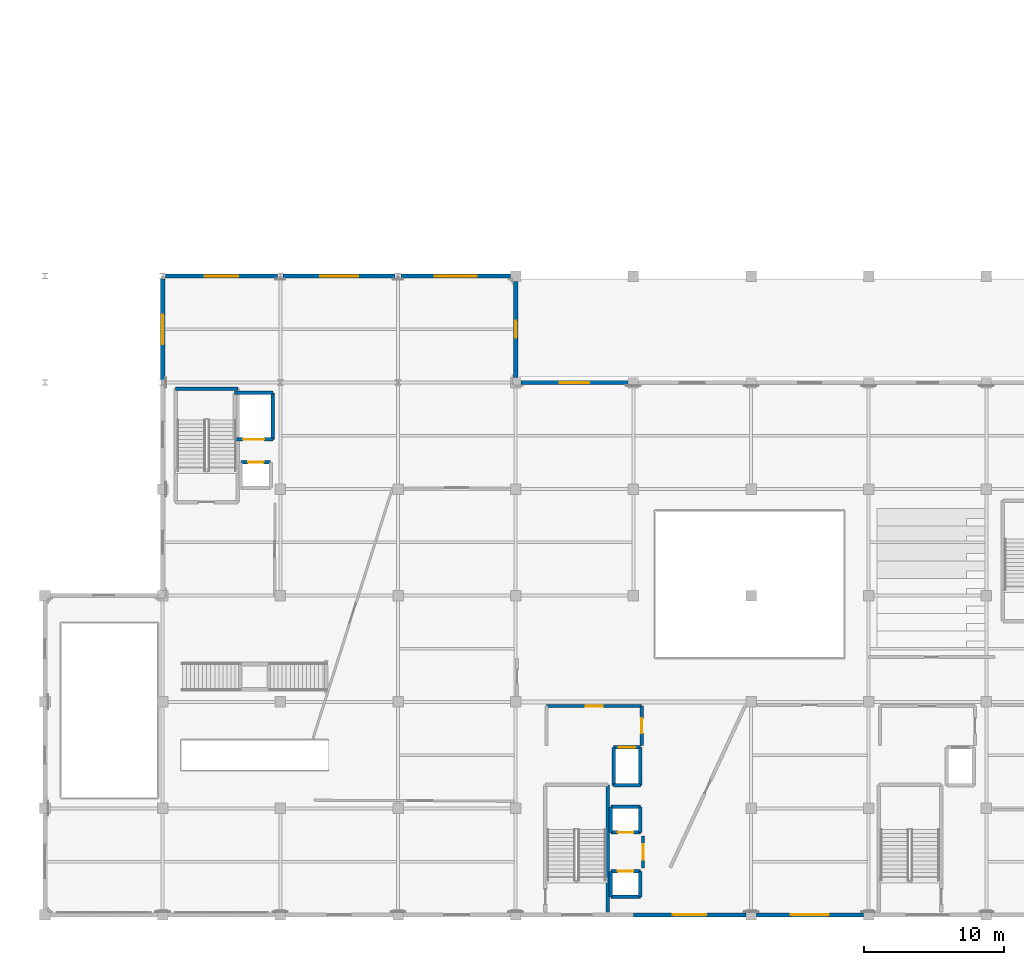
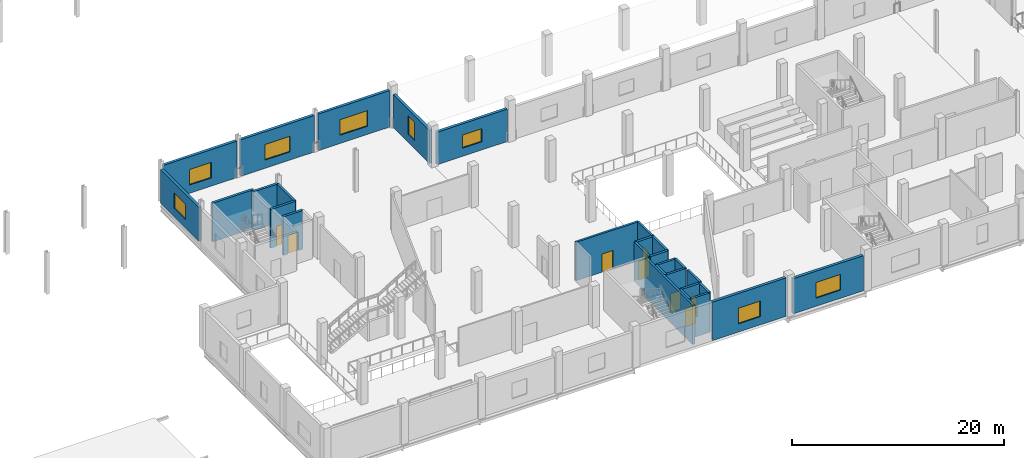
# One storey, part 25 of 51: 29 walls, 8 doors, 8 windows, 16 openings.
"""IFC4 building model written with IfcOpenShell, lengths in metres."""

from ifc_helpers import new_model, si_unit, direction, frame, frame_2d, origin, place, context, subcontext, project, spatial, rectangle, extrude, material, layer, layer_set, type_object, element, fill, save


model = new_model("IFC4")

# Units and contexts
model_context = context("Model", 3, precision=1e-05, world=origin(), true_north=direction((0.0, 1.0)))
body_context = subcontext(model_context, "Body", "Model", "MODEL_VIEW")
ifc_project = project(units=[si_unit("LENGTHUNIT", "METRE"), si_unit("AREAUNIT", "SQUARE_METRE"), si_unit("VOLUMEUNIT", "CUBIC_METRE"), si_unit("PLANEANGLEUNIT", "RADIAN"), si_unit("MASSUNIT", "GRAM", prefix="KILO")], contexts=[model_context])

# Site, building, storey
site_placement = place(None, origin())
site = spatial("IfcSite", under=ifc_project, at=site_placement, CompositionType="ELEMENT")
building_placement = place(site_placement, origin())
building = spatial("IfcBuilding", under=site, at=building_placement, Name="Zuvorla Pavilion Media Centre", CompositionType="ELEMENT")
storey_placement = place(building_placement, frame((0.0, 0.0, 4.800048828125)))
storey = spatial("IfcBuildingStorey", under=building, at=storey_placement, Name="L01", CompositionType="ELEMENT", Elevation=4.800048828125)

# Wall, opening, door
ifc_material_1 = material(Name="Acoustic masonry blockwork C32/40", Category="masonry")
ifc_layer_1 = layer(ifc_material_1, 0.219970703125)
ifc_layer_set_1 = layer_set([ifc_layer_1], Name="Acoustic masonry blockwork C32/40")
wall_type_1 = type_object("IfcWallType", Name="WL-CMP-220", PredefinedType="SOLIDWALL", material=ifc_layer_set_1)
wall_1_placement = place(storey_placement, frame((69.0, 20.89990234375, 0.0), z_axis=(0.0, 0.0, 1.0), x_axis=(1.0, 0.0, 0.0)))
wall_1 = element("IfcWall", 1, at=wall_1_placement, inside=storey, type_object=wall_type_1, Name="L01 solid wall IW22 22", PredefinedType="SOLIDWALL", context=body_context, shape_type="SweptSolid", body=[
    extrude(rectangle(XDim=6.800048828125, YDim=0.219970703125, at=frame_2d((3.39990234375, 0.0))), origin(), (0.0, 0.0, 1.0), 4.429931640625),
])
opening_1_placement = place(wall_1_placement, frame((2.800048828125, 0.0, 0.0)))
opening_1 = element("IfcOpeningElement", 2, at=opening_1_placement, cuts=wall_1, Name="Opening FD06", PredefinedType="OPENING", context=body_context, shape_type="SweptSolid", body=[
    extrude(rectangle(XDim=1.199951171875, YDim=2.10009765625, at=frame_2d((0.60009765625, 1.050048828125))), frame((0.0, 0.119873046875, 0.0), z_axis=(0.0, -1.0, 0.0), x_axis=(1.0, 0.0, 0.0)), (0.0, 0.0, 1.0), 0.239990234375),
])
ifc_material_2 = material(Name="Acoustic timber fire door leaf in steel frame", Category="steel")
door_type_1 = type_object("IfcDoorType", Name="DR-INT-FD06", OperationType="NOTDEFINED", PredefinedType="DOOR", material=ifc_material_2)
door_1_placement = place(opening_1_placement, origin())
door_1 = element("IfcDoor", 3, at=door_1_placement, inside=storey, type_object=door_type_1, Name="Firefighting lobby 1 door FD06 10", OperationType="SINGLE_SWING_LEFT", OverallHeight=2.10009765625, OverallWidth=1.199951171875, PredefinedType="DOOR", context=body_context, shape_type="SweptSolid", body=[
    extrude(rectangle(XDim=1.199951171875, YDim=2.10009765625, at=frame_2d((0.60009765625, 1.050048828125))), frame((0.0, 0.02490234375, 0.0), z_axis=(0.0, -1.0, 0.0), x_axis=(1.0, 0.0, 0.0)), (0.0, 0.0, 1.0), 0.050048828125),
])
fill(opening_1, door_1)

wall_2_placement = place(storey_placement, frame((75.800048828125, 18.10009765625, 0.0), z_axis=(0.0, 0.0, 1.0), x_axis=(0.0, 1.0, 0.0)))
wall_2 = element("IfcWall", 4, at=wall_2_placement, inside=storey, type_object=wall_type_1, Name="L01 solid wall IW22 24", PredefinedType="SOLIDWALL", context=body_context, shape_type="SweptSolid", body=[
    extrude(rectangle(XDim=2.7998046875, YDim=0.219970703125, at=frame_2d((1.39990234375, 0.0))), origin(), (0.0, 0.0, 1.0), 4.429931640625),
])
opening_2_placement = place(wall_2_placement, frame((0.875, 0.0, 0.0)))
opening_2 = element("IfcOpeningElement", 5, at=opening_2_placement, cuts=wall_2, Name="Opening FD04", PredefinedType="OPENING", context=body_context, shape_type="SweptSolid", body=[
    extrude(rectangle(XDim=1.050048828125, YDim=2.10009765625, at=frame_2d((0.52490234375, 1.050048828125))), frame((0.0, 0.119873046875, 0.0), z_axis=(0.0, -1.0, 0.0), x_axis=(1.0, 0.0, 0.0)), (0.0, 0.0, 1.0), 0.239990234375),
])
door_type_2 = type_object("IfcDoorType", Name="DR-INT-FD04", OperationType="NOTDEFINED", PredefinedType="DOOR", material=ifc_material_2)
door_2_placement = place(opening_2_placement, origin())
door_2 = element("IfcDoor", 6, at=door_2_placement, inside=storey, type_object=door_type_2, Name="Firefighting lobby 1 access door FD04 11", OperationType="SINGLE_SWING_LEFT", OverallHeight=2.10009765625, OverallWidth=1.050048828125, PredefinedType="DOOR", context=body_context, shape_type="SweptSolid", body=[
    extrude(rectangle(XDim=1.050048828125, YDim=2.10009765625, at=frame_2d((0.52490234375, 1.050048828125))), frame((0.0, 0.02490234375, 0.0), z_axis=(0.0, -1.0, 0.0), x_axis=(1.0, 0.0, 0.0)), (0.0, 0.0, 1.0), 0.050048828125),
])
fill(opening_2, door_2)

wall_3_placement = place(storey_placement, frame((75.89990234375, 9.35009765625, 0.0), z_axis=(0.0, 0.0, 1.0), x_axis=(0.0, 1.0, 0.0)))
wall_3 = element("IfcWall", 7, at=wall_3_placement, inside=storey, type_object=wall_type_1, Name="L01 solid wall IW22 25", PredefinedType="SOLIDWALL", context=body_context, shape_type="SweptSolid", body=[
    extrude(rectangle(XDim=2.2998046875, YDim=0.219970703125, at=frame_2d((1.14990234375, 0.0))), origin(), (0.0, 0.0, 1.0), 4.429931640625),
])
opening_3_placement = place(wall_3_placement, frame((0.60009765625, 0.0, 0.0)))
opening_3 = element("IfcOpeningElement", 8, at=opening_3_placement, cuts=wall_3, Name="Opening FD05", PredefinedType="OPENING", context=body_context, shape_type="SweptSolid", body=[
    extrude(rectangle(XDim=1.10009765625, YDim=2.10009765625, at=frame_2d((0.550048828125, 1.050048828125))), frame((0.0, 0.119873046875, 0.0), z_axis=(0.0, -1.0, 0.0), x_axis=(1.0, 0.0, 0.0)), (0.0, 0.0, 1.0), 0.239990234375),
])
door_type_3 = type_object("IfcDoorType", Name="DR-INT-FD05", OperationType="NOTDEFINED", PredefinedType="DOOR", material=ifc_material_2)
door_3_placement = place(opening_3_placement, origin())
door_3 = element("IfcDoor", 9, at=door_3_placement, inside=storey, type_object=door_type_3, Name="Lift lobby 1 door FD05 12", OperationType="SINGLE_SWING_RIGHT", OverallHeight=2.10009765625, OverallWidth=1.10009765625, PredefinedType="DOOR", context=body_context, shape_type="SweptSolid", body=[
    extrude(rectangle(XDim=1.10009765625, YDim=2.10009765625, at=frame_2d((0.550048828125, 1.050048828125))), frame((0.0, 0.02490234375, 0.0), z_axis=(0.0, -1.0, 0.0), x_axis=(1.0, 0.0, 0.0)), (0.0, 0.0, 1.0), 0.050048828125),
])
fill(opening_3, door_3)

# Walls
ifc_material_3 = material(Name="Concrete C40/50", Category="concrete")
ifc_layer_2 = layer(ifc_material_3, 0.25)
ifc_layer_set_2 = layer_set([ifc_layer_2], Name="Concrete C40/50")
wall_type_2 = type_object("IfcWallType", Name="WL-COR-250", PredefinedType="SHEAR", material=ifc_layer_set_2)
wall_4_placement = place(storey_placement, frame((73.375, 6.22509765625, 0.0), z_axis=(0.0, 0.0, 1.0), x_axis=(0.0, 1.0, 0.0)))
element("IfcWall", 10, at=wall_4_placement, inside=storey, type_object=wall_type_2, Name="L01 shear wall CW25 20", PredefinedType="SHEAR", context=body_context, shape_type="SweptSolid", body=[
    extrude(rectangle(XDim=9.0498046875, YDim=0.25, at=frame_2d((4.52490234375, 0.0))), origin(), (0.0, 0.0, 1.0), 4.5400390625),
])
wall_5_placement = place(storey_placement, frame((73.590087890625, 7.2900390625, 0.0), z_axis=(0.0, 0.0, 1.0), x_axis=(1.0, 0.0, 0.0)))
element("IfcWall", 11, at=wall_5_placement, inside=storey, type_object=wall_type_2, Name="L01 shear wall CW25 69", PredefinedType="SHEAR", context=body_context, shape_type="SweptSolid", body=[
    extrude(rectangle(XDim=2.119873046875, YDim=0.25, at=frame_2d((1.06005859375, 0.0))), origin(), (0.0, 0.0, 1.0), 4.5400390625),
])

# Wall, opening, door
wall_6_placement = place(storey_placement, frame((73.590087890625, 9.110107421875, 0.0), z_axis=(0.0, 0.0, 1.0), x_axis=(1.0, 0.0, 0.0)))
wall_6 = element("IfcWall", 12, at=wall_6_placement, inside=storey, type_object=wall_type_2, Name="L01 shear wall CW25 70", PredefinedType="SHEAR", context=body_context, shape_type="SweptSolid", body=[
    extrude(rectangle(XDim=2.119873046875, YDim=0.25, at=frame_2d((1.06005859375, 0.0))), origin(), (0.0, 0.0, 1.0), 4.5400390625),
])
opening_4_placement = place(wall_6_placement, frame((0.510009765625, 0.0, 0.0)))
opening_4 = element("IfcOpeningElement", 13, at=opening_4_placement, cuts=wall_6, Name="Opening LD01", PredefinedType="OPENING", context=body_context, shape_type="SweptSolid", body=[
    extrude(rectangle(XDim=1.10009765625, YDim=2.14990234375, at=frame_2d((0.550048828125, 1.074951171875))), frame((0.0, 0.135009765625, 0.0), z_axis=(0.0, -1.0, 0.0), x_axis=(1.0, 0.0, 0.0)), (0.0, 0.0, 1.0), 0.27001953125),
])
ifc_material_4 = material(Name="Brushed stainless steel sliding lift landing door", Category="steel")
door_type_4 = type_object("IfcDoorType", Name="DR-LFT-LD01", OperationType="SLIDING_TO_LEFT", PredefinedType="DOOR", material=ifc_material_4)
door_4_placement = place(opening_4_placement, origin())
door_4 = element("IfcDoor", 14, at=door_4_placement, inside=storey, type_object=door_type_4, Name="Lift LF-01 landing door LD01 35", OperationType="SLIDING_TO_LEFT", OverallHeight=2.14990234375, OverallWidth=1.10009765625, PredefinedType="DOOR", context=body_context, shape_type="SweptSolid", body=[
    extrude(rectangle(XDim=1.10009765625, YDim=2.14990234375, at=frame_2d((0.550048828125, 1.074951171875))), frame((0.0, 0.02490234375, 0.0), z_axis=(0.0, -1.0, 0.0), x_axis=(1.0, 0.0, 0.0)), (0.0, 0.0, 1.0), 0.050048828125),
])
fill(opening_4, door_4)

# Walls
for number, where, z_axis, x_axis, name in (
    (15, (73.590087890625, 7.2900390625, 0.0), (0.0, 0.0, 1.0), (0.0, 1.0, 0.0), "L01 shear wall CW25 71"),
    (16, (75.7099609375, 7.2900390625, 0.0), (0.0, 0.0, 1.0), (0.0, 1.0, 0.0), "L01 shear wall CW25 72"),
):
    element("IfcWall", number, at=place(storey_placement, frame(where, z_axis=z_axis, x_axis=x_axis)), inside=storey, type_object=wall_type_2, Name=name, PredefinedType="SHEAR", context=body_context, shape_type="SweptSolid", body=[
        extrude(rectangle(XDim=1.820068359375, YDim=0.25, at=frame_2d((0.91015625, 0.0))), origin(), (0.0, 0.0, 1.0), 4.5400390625),
    ])

# Wall, opening, door
wall_7_placement = place(storey_placement, frame((73.590087890625, 11.889892578125, 0.0), z_axis=(0.0, 0.0, 1.0), x_axis=(1.0, 0.0, 0.0)))
wall_7 = element("IfcWall", 17, at=wall_7_placement, inside=storey, type_object=wall_type_2, Name="L01 shear wall CW25 101", PredefinedType="SHEAR", context=body_context, shape_type="SweptSolid", body=[
    extrude(rectangle(XDim=2.119873046875, YDim=0.25, at=frame_2d((1.06005859375, 0.0))), origin(), (0.0, 0.0, 1.0), 4.5400390625),
])
opening_5_placement = place(wall_7_placement, frame((0.510009765625, 0.0, 0.0)))
opening_5 = element("IfcOpeningElement", 18, at=opening_5_placement, cuts=wall_7, Name="Opening LD01", PredefinedType="OPENING", context=body_context, shape_type="SweptSolid", body=[
    extrude(rectangle(XDim=1.10009765625, YDim=2.14990234375, at=frame_2d((0.550048828125, 1.074951171875))), frame((0.0, 0.135009765625, 0.0), z_axis=(0.0, -1.0, 0.0), x_axis=(1.0, 0.0, 0.0)), (0.0, 0.0, 1.0), 0.27001953125),
])
door_5_placement = place(opening_5_placement, origin())
door_5 = element("IfcDoor", 19, at=door_5_placement, inside=storey, type_object=door_type_4, Name="Lift LF-02 landing door LD01 43", OperationType="SLIDING_TO_LEFT", OverallHeight=2.14990234375, OverallWidth=1.10009765625, PredefinedType="DOOR", context=body_context, shape_type="SweptSolid", body=[
    extrude(rectangle(XDim=1.10009765625, YDim=2.14990234375, at=frame_2d((0.550048828125, 1.074951171875))), frame((0.0, 0.02490234375, 0.0), z_axis=(0.0, -1.0, 0.0), x_axis=(1.0, 0.0, 0.0)), (0.0, 0.0, 1.0), 0.050048828125),
])
fill(opening_5, door_5)

# Walls
wall_8_placement = place(storey_placement, frame((73.590087890625, 13.7099609375, 0.0), z_axis=(0.0, 0.0, 1.0), x_axis=(1.0, 0.0, 0.0)))
element("IfcWall", 20, at=wall_8_placement, inside=storey, type_object=wall_type_2, Name="L01 shear wall CW25 102", PredefinedType="SHEAR", context=body_context, shape_type="SweptSolid", body=[
    extrude(rectangle(XDim=2.119873046875, YDim=0.25, at=frame_2d((1.06005859375, 0.0))), origin(), (0.0, 0.0, 1.0), 4.5400390625),
])
for number, where, z_axis, x_axis, name in (
    (21, (73.590087890625, 11.889892578125, 0.0), (0.0, 0.0, 1.0), (0.0, 1.0, 0.0), "L01 shear wall CW25 103"),
    (22, (75.7099609375, 11.889892578125, 0.0), (0.0, 0.0, 1.0), (0.0, 1.0, 0.0), "L01 shear wall CW25 104"),
):
    element("IfcWall", number, at=place(storey_placement, frame(where, z_axis=z_axis, x_axis=x_axis)), inside=storey, type_object=wall_type_2, Name=name, PredefinedType="SHEAR", context=body_context, shape_type="SweptSolid", body=[
        extrude(rectangle(XDim=1.820068359375, YDim=0.25, at=frame_2d((0.91015625, 0.0))), origin(), (0.0, 0.0, 1.0), 4.5400390625),
    ])
wall_9_placement = place(storey_placement, frame((73.7900390625, 15.239990234375, 0.0), z_axis=(0.0, 0.0, 1.0), x_axis=(1.0, 0.0, 0.0)))
element("IfcWall", 23, at=wall_9_placement, inside=storey, type_object=wall_type_2, Name="L01 shear wall CW25 133", PredefinedType="SHEAR", context=body_context, shape_type="SweptSolid", body=[
    extrude(rectangle(XDim=1.919921875, YDim=0.25, at=frame_2d((0.9599609375, 0.0))), origin(), (0.0, 0.0, 1.0), 4.5400390625),
])

# Wall, opening, door
wall_10_placement = place(storey_placement, frame((73.7900390625, 17.9599609375, 0.0), z_axis=(0.0, 0.0, 1.0), x_axis=(1.0, 0.0, 0.0)))
wall_10 = element("IfcWall", 24, at=wall_10_placement, inside=storey, type_object=wall_type_2, Name="L01 shear wall CW25 134", PredefinedType="SHEAR", context=body_context, shape_type="SweptSolid", body=[
    extrude(rectangle(XDim=1.919921875, YDim=0.25, at=frame_2d((0.9599609375, 0.0))), origin(), (0.0, 0.0, 1.0), 4.5400390625),
])
opening_6_placement = place(wall_10_placement, frame((0.360107421875, 0.0, 0.0)))
opening_6 = element("IfcOpeningElement", 25, at=opening_6_placement, cuts=wall_10, Name="Opening LD02", PredefinedType="OPENING", context=body_context, shape_type="SweptSolid", body=[
    extrude(rectangle(XDim=1.199951171875, YDim=2.199951171875, at=frame_2d((0.60009765625, 1.10009765625))), frame((0.0, 0.135009765625, 0.0), z_axis=(0.0, -1.0, 0.0), x_axis=(1.0, 0.0, 0.0)), (0.0, 0.0, 1.0), 0.27001953125),
])
door_type_5 = type_object("IfcDoorType", Name="DR-LFT-LD02", OperationType="SLIDING_TO_LEFT", PredefinedType="DOOR", material=ifc_material_4)
door_6_placement = place(opening_6_placement, origin())
door_6 = element("IfcDoor", 26, at=door_6_placement, inside=storey, type_object=door_type_5, Name="Lift LF-03 landing door LD02 51", OperationType="SLIDING_TO_LEFT", OverallHeight=2.199951171875, OverallWidth=1.199951171875, PredefinedType="DOOR", context=body_context, shape_type="SweptSolid", body=[
    extrude(rectangle(XDim=1.199951171875, YDim=2.199951171875, at=frame_2d((0.60009765625, 1.10009765625))), frame((0.0, 0.02490234375, 0.0), z_axis=(0.0, -1.0, 0.0), x_axis=(1.0, 0.0, 0.0)), (0.0, 0.0, 1.0), 0.050048828125),
])
fill(opening_6, door_6)

# Walls
for number, where, z_axis, x_axis, name in (
    (27, (73.7900390625, 15.239990234375, 0.0), (0.0, 0.0, 1.0), (0.0, 1.0, 0.0), "L01 shear wall CW25 135"),
    (28, (75.7099609375, 15.239990234375, 0.0), (0.0, 0.0, 1.0), (0.0, 1.0, 0.0), "L01 shear wall CW25 136"),
):
    element("IfcWall", number, at=place(storey_placement, frame(where, z_axis=z_axis, x_axis=x_axis)), inside=storey, type_object=wall_type_2, Name=name, PredefinedType="SHEAR", context=body_context, shape_type="SweptSolid", body=[
        extrude(rectangle(XDim=2.719970703125, YDim=0.25, at=frame_2d((1.35986328125, 0.0))), origin(), (0.0, 0.0, 1.0), 4.5400390625),
    ])
wall_11_placement = place(storey_placement, frame((42.52490234375, 43.574951171875, 0.0), z_axis=(0.0, 0.0, 1.0), x_axis=(1.0, 0.0, 0.0)))
element("IfcWall", 29, at=wall_11_placement, inside=storey, type_object=wall_type_2, Name="L01 shear wall CW25 247", PredefinedType="SHEAR", context=body_context, shape_type="SweptSolid", body=[
    extrude(rectangle(XDim=4.4501953125, YDim=0.25, at=frame_2d((2.22509765625, 0.0))), origin(), (0.0, 0.0, 1.0), 4.449951171875),
])

# Wall, opening, door
wall_12_placement = place(storey_placement, frame((47.18994140625, 38.31005859375, 0.0), z_axis=(0.0, 0.0, 1.0), x_axis=(1.0, 0.0, 0.0)))
wall_12 = element("IfcWall", 30, at=wall_12_placement, inside=storey, type_object=wall_type_2, Name="L01 shear wall CW25 270", PredefinedType="SHEAR", context=body_context, shape_type="SweptSolid", body=[
    extrude(rectangle(XDim=2.1201171875, YDim=0.25, at=frame_2d((1.06005859375, 0.0))), origin(), (0.0, 0.0, 1.0), 4.449951171875),
])
opening_7_placement = place(wall_12_placement, frame((0.510009765625, 0.0, 0.0)))
opening_7 = element("IfcOpeningElement", 31, at=opening_7_placement, cuts=wall_12, Name="Opening LD01", PredefinedType="OPENING", context=body_context, shape_type="SweptSolid", body=[
    extrude(rectangle(XDim=1.10009765625, YDim=2.14990234375, at=frame_2d((0.550048828125, 1.074951171875))), frame((0.0, 0.135009765625, 0.0), z_axis=(0.0, -1.0, 0.0), x_axis=(1.0, 0.0, 0.0)), (0.0, 0.0, 1.0), 0.27001953125),
])
door_7_placement = place(opening_7_placement, origin())
door_7 = element("IfcDoor", 32, at=door_7_placement, inside=storey, type_object=door_type_4, Name="Lift LF-05 landing door LD01 97", OperationType="SLIDING_TO_LEFT", OverallHeight=2.14990234375, OverallWidth=1.10009765625, PredefinedType="DOOR", context=body_context, shape_type="SweptSolid", body=[
    extrude(rectangle(XDim=1.10009765625, YDim=2.14990234375, at=frame_2d((0.550048828125, 1.074951171875))), frame((0.0, 0.02490234375, 0.0), z_axis=(0.0, -1.0, 0.0), x_axis=(1.0, 0.0, 0.0)), (0.0, 0.0, 1.0), 0.050048828125),
])
fill(opening_7, door_7)

wall_13_placement = place(storey_placement, frame((46.739990234375, 39.93994140625, 0.0), z_axis=(0.0, 0.0, 1.0), x_axis=(1.0, 0.0, 0.0)))
wall_13 = element("IfcWall", 33, at=wall_13_placement, inside=storey, type_object=wall_type_2, Name="L01 shear wall CW25 289", PredefinedType="SHEAR", context=body_context, shape_type="SweptSolid", body=[
    extrude(rectangle(XDim=2.719970703125, YDim=0.25, at=frame_2d((1.35986328125, 0.0))), origin(), (0.0, 0.0, 1.0), 4.449951171875),
])
opening_8_placement = place(wall_13_placement, frame((0.610107421875, 0.0, 0.0)))
opening_8 = element("IfcOpeningElement", 34, at=opening_8_placement, cuts=wall_13, Name="Opening LD03", PredefinedType="OPENING", context=body_context, shape_type="SweptSolid", body=[
    extrude(rectangle(XDim=1.5, YDim=2.300048828125, at=frame_2d((0.75, 1.14990234375))), frame((0.0, 0.135009765625, 0.0), z_axis=(0.0, -1.0, 0.0), x_axis=(1.0, 0.0, 0.0)), (0.0, 0.0, 1.0), 0.27001953125),
])
door_type_6 = type_object("IfcDoorType", Name="DR-LFT-LD03", OperationType="SLIDING_TO_LEFT", PredefinedType="DOOR", material=ifc_material_4)
door_8_placement = place(opening_8_placement, origin())
door_8 = element("IfcDoor", 35, at=door_8_placement, inside=storey, type_object=door_type_6, Name="Lift LF-06 landing door LD03 102", OperationType="SLIDING_TO_LEFT", OverallHeight=2.300048828125, OverallWidth=1.5, PredefinedType="DOOR", context=body_context, shape_type="SweptSolid", body=[
    extrude(rectangle(XDim=1.5, YDim=2.300048828125, at=frame_2d((0.75, 1.14990234375))), frame((0.0, 0.02490234375, 0.0), z_axis=(0.0, -1.0, 0.0), x_axis=(1.0, 0.0, 0.0)), (0.0, 0.0, 1.0), 0.050048828125),
])
fill(opening_8, door_8)

# Walls
wall_14_placement = place(storey_placement, frame((46.739990234375, 43.260009765625, 0.0), z_axis=(0.0, 0.0, 1.0), x_axis=(1.0, 0.0, 0.0)))
element("IfcWall", 36, at=wall_14_placement, inside=storey, type_object=wall_type_2, Name="L01 shear wall CW25 290", PredefinedType="SHEAR", context=body_context, shape_type="SweptSolid", body=[
    extrude(rectangle(XDim=2.719970703125, YDim=0.25, at=frame_2d((1.35986328125, 0.0))), origin(), (0.0, 0.0, 1.0), 4.449951171875),
])
wall_15_placement = place(storey_placement, frame((49.4599609375, 39.93994140625, 0.0), z_axis=(0.0, 0.0, 1.0), x_axis=(0.0, 1.0, 0.0)))
element("IfcWall", 37, at=wall_15_placement, inside=storey, type_object=wall_type_2, Name="L01 shear wall CW25 292", PredefinedType="SHEAR", context=body_context, shape_type="SweptSolid", body=[
    extrude(rectangle(XDim=3.320068359375, YDim=0.25, at=frame_2d((1.66015625, 0.0))), origin(), (0.0, 0.0, 1.0), 4.449951171875),
])

# Wall, opening, window
ifc_material_5 = material(Name="White rendered concrete C32/40", Category="concrete")
ifc_layer_3 = layer(ifc_material_5, 0.300048828125)
ifc_layer_set_3 = layer_set([ifc_layer_3], Name="White rendered concrete C32/40")
wall_type_3 = type_object("IfcWallType", Name="WL-EXT-300", PredefinedType="SOLIDWALL", material=ifc_layer_set_3)
wall_16_placement = place(storey_placement, frame((75.199951171875, 6.0, 0.0), z_axis=(0.0, 0.0, 1.0), x_axis=(1.0, 0.0, 0.0)))
wall_16 = element("IfcWall", 38, at=wall_16_placement, inside=storey, type_object=wall_type_3, Name="L01 exterior solid wall EW03 163", PredefinedType="SOLIDWALL", context=body_context, shape_type="SweptSolid", body=[
    extrude(rectangle(XDim=8.025146484375, YDim=0.300048828125, at=frame_2d((4.0126953125, 0.0))), origin(), (0.0, 0.0, 1.0), 4.429931640625),
])
opening_9_placement = place(wall_16_placement, frame((2.8125, 0.0, 0.949951171875)))
opening_9 = element("IfcOpeningElement", 39, at=opening_9_placement, cuts=wall_16, Name="Opening WN14", PredefinedType="OPENING", context=body_context, shape_type="SweptSolid", body=[
    extrude(rectangle(XDim=2.39990234375, YDim=1.800048828125, at=frame_2d((1.199951171875, 0.89990234375))), frame((0.0, 0.159912109375, 0.0), z_axis=(0.0, -1.0, 0.0), x_axis=(1.0, 0.0, 0.0)), (0.0, 0.0, 1.0), 0.320068359375),
])
ifc_material_6 = material(Name="Anodised aluminium frame with solar double glazing", Category="aluminium")
window_type_1 = type_object("IfcWindowType", Name="WIN-WN14", PartitioningType="DOUBLE_PANEL_VERTICAL", PredefinedType="WINDOW", material=ifc_material_6)
window_1_placement = place(opening_9_placement, origin())
window_1 = element("IfcWindow", 40, at=window_1_placement, inside=storey, type_object=window_type_1, Name="L01 window WN14 42", OverallHeight=1.800048828125, OverallWidth=2.39990234375, PartitioningType="DOUBLE_PANEL_VERTICAL", PredefinedType="WINDOW", context=body_context, shape_type="SweptSolid", body=[
    extrude(rectangle(XDim=2.39990234375, YDim=1.800048828125, at=frame_2d((1.199951171875, 0.89990234375))), frame((0.0, 0.030029296875, 0.0), z_axis=(0.0, -1.0, 0.0), x_axis=(1.0, 0.0, 0.0)), (0.0, 0.0, 1.0), 0.06005859375),
])
fill(opening_9, window_1)

wall_17_placement = place(storey_placement, frame((83.97509765625, 6.0, 0.0), z_axis=(0.0, 0.0, 1.0), x_axis=(1.0, 0.0, 0.0)))
wall_17 = element("IfcWall", 41, at=wall_17_placement, inside=storey, type_object=wall_type_3, Name="L01 exterior solid wall EW03 164", PredefinedType="SOLIDWALL", context=body_context, shape_type="SweptSolid", body=[
    extrude(rectangle(XDim=7.64990234375, YDim=0.300048828125, at=frame_2d((3.824951171875, 0.0))), origin(), (0.0, 0.0, 1.0), 4.046875),
])
opening_10_placement = place(wall_17_placement, frame((2.47509765625, 0.0, 0.949951171875)))
opening_10 = element("IfcOpeningElement", 42, at=opening_10_placement, cuts=wall_17, Name="Opening WN15", PredefinedType="OPENING", context=body_context, shape_type="SweptSolid", body=[
    extrude(rectangle(XDim=2.699951171875, YDim=1.800048828125, at=frame_2d((1.35009765625, 0.89990234375))), frame((0.0, 0.159912109375, 0.0), z_axis=(0.0, -1.0, 0.0), x_axis=(1.0, 0.0, 0.0)), (0.0, 0.0, 1.0), 0.320068359375),
])
window_type_2 = type_object("IfcWindowType", Name="WIN-WN15", PartitioningType="DOUBLE_PANEL_VERTICAL", PredefinedType="WINDOW", material=ifc_material_6)
window_2_placement = place(opening_10_placement, origin())
window_2 = element("IfcWindow", 43, at=window_2_placement, inside=storey, type_object=window_type_2, Name="L01 window WN15 43", OverallHeight=1.800048828125, OverallWidth=2.699951171875, PartitioningType="DOUBLE_PANEL_VERTICAL", PredefinedType="WINDOW", context=body_context, shape_type="SweptSolid", body=[
    extrude(rectangle(XDim=2.699951171875, YDim=1.800048828125, at=frame_2d((1.35009765625, 0.89990234375))), frame((0.0, 0.030029296875, 0.0), z_axis=(0.0, -1.0, 0.0), x_axis=(1.0, 0.0, 0.0)), (0.0, 0.0, 1.0), 0.06005859375),
])
fill(opening_10, window_2)

wall_18_placement = place(storey_placement, frame((74.824951171875, 44.0, 0.0), z_axis=(0.0, 0.0, 1.0), x_axis=(-1.0, 0.0, 0.0)))
wall_18 = element("IfcWall", 44, at=wall_18_placement, inside=storey, type_object=wall_type_3, Name="L01 exterior solid wall EW03 188", PredefinedType="SOLIDWALL", context=body_context, shape_type="SweptSolid", body=[
    extrude(rectangle(XDim=7.64990234375, YDim=0.300048828125, at=frame_2d((3.824951171875, 0.0))), origin(), (0.0, 0.0, 1.0), 3.73486328125),
])
opening_11_placement = place(wall_18_placement, frame((2.77490234375, 0.0, 0.949951171875)))
opening_11 = element("IfcOpeningElement", 45, at=opening_11_placement, cuts=wall_18, Name="Opening WN06", PredefinedType="OPENING", context=body_context, shape_type="SweptSolid", body=[
    extrude(rectangle(XDim=2.10009765625, YDim=1.5, at=frame_2d((1.050048828125, 0.75))), frame((0.0, 0.159912109375, 0.0), z_axis=(0.0, -1.0, 0.0), x_axis=(1.0, 0.0, 0.0)), (0.0, 0.0, 1.0), 0.320068359375),
])
window_type_3 = type_object("IfcWindowType", Name="WIN-WN06", PartitioningType="DOUBLE_PANEL_VERTICAL", PredefinedType="WINDOW", material=ifc_material_6)
window_3_placement = place(opening_11_placement, origin())
window_3 = element("IfcWindow", 46, at=window_3_placement, inside=storey, type_object=window_type_3, Name="L01 window WN06 62", OverallHeight=1.5, OverallWidth=2.10009765625, PartitioningType="DOUBLE_PANEL_VERTICAL", PredefinedType="WINDOW", context=body_context, shape_type="SweptSolid", body=[
    extrude(rectangle(XDim=2.10009765625, YDim=1.5, at=frame_2d((1.050048828125, 0.75))), frame((0.0, 0.030029296875, 0.0), z_axis=(0.0, -1.0, 0.0), x_axis=(1.0, 0.0, 0.0)), (0.0, 0.0, 1.0), 0.06005859375),
])
fill(opening_11, window_3)

wall_19_placement = place(storey_placement, frame((41.60009765625, 44.19677734375, 0.0), z_axis=(0.0, 0.0, 1.0), x_axis=(0.0, 1.0, 0.0)))
wall_19 = element("IfcWall", 47, at=wall_19_placement, inside=storey, type_object=wall_type_3, Name="L01 exterior solid wall EW03 195", PredefinedType="SOLIDWALL", context=body_context, shape_type="SweptSolid", body=[
    extrude(rectangle(XDim=7.20654296875, YDim=0.300048828125, at=frame_2d((3.603271484375, 0.0))), origin(), (0.0, 0.0, 1.0), 3.88037109375),
])
opening_12_placement = place(wall_19_placement, frame((2.55322265625, 0.0, 0.949951171875)))
opening_12 = element("IfcOpeningElement", 48, at=opening_12_placement, cuts=wall_19, Name="Opening WN13", PredefinedType="OPENING", context=body_context, shape_type="SweptSolid", body=[
    extrude(rectangle(XDim=2.10009765625, YDim=1.800048828125, at=frame_2d((1.050048828125, 0.89990234375))), frame((0.0, 0.159912109375, 0.0), z_axis=(0.0, -1.0, 0.0), x_axis=(1.0, 0.0, 0.0)), (0.0, 0.0, 1.0), 0.320068359375),
])
window_type_4 = type_object("IfcWindowType", Name="WIN-WN13", PartitioningType="DOUBLE_PANEL_VERTICAL", PredefinedType="WINDOW", material=ifc_material_6)
window_4_placement = place(opening_12_placement, origin())
window_4 = element("IfcWindow", 49, at=window_4_placement, inside=storey, type_object=window_type_4, Name="L01 window WN13 69", OverallHeight=1.800048828125, OverallWidth=2.10009765625, PartitioningType="DOUBLE_PANEL_VERTICAL", PredefinedType="WINDOW", context=body_context, shape_type="SweptSolid", body=[
    extrude(rectangle(XDim=2.10009765625, YDim=1.800048828125, at=frame_2d((1.050048828125, 0.89990234375))), frame((0.0, 0.030029296875, 0.0), z_axis=(0.0, -1.0, 0.0), x_axis=(1.0, 0.0, 0.0)), (0.0, 0.0, 1.0), 0.06005859375),
])
fill(opening_12, window_4)

wall_20_placement = place(storey_placement, frame((41.799560546875, 51.60009765625, 0.0), z_axis=(0.0, 0.0, 1.0), x_axis=(1.0, 0.0, 0.0)))
wall_20 = element("IfcWall", 50, at=wall_20_placement, inside=storey, type_object=wall_type_3, Name="L01 exterior solid wall EW03 196", PredefinedType="SOLIDWALL", context=body_context, shape_type="SweptSolid", body=[
    extrude(rectangle(XDim=8.0009765625, YDim=0.300048828125, at=frame_2d((4.00048828125, 0.0))), origin(), (0.0, 0.0, 1.0), 4.20703125),
])
opening_13_placement = place(wall_20_placement, frame((2.800537109375, 0.0, 0.949951171875)))
opening_13 = element("IfcOpeningElement", 51, at=opening_13_placement, cuts=wall_20, Name="Opening WN14", PredefinedType="OPENING", context=body_context, shape_type="SweptSolid", body=[
    extrude(rectangle(XDim=2.39990234375, YDim=1.800048828125, at=frame_2d((1.199951171875, 0.89990234375))), frame((0.0, 0.159912109375, 0.0), z_axis=(0.0, -1.0, 0.0), x_axis=(1.0, 0.0, 0.0)), (0.0, 0.0, 1.0), 0.320068359375),
])
window_5_placement = place(opening_13_placement, origin())
window_5 = element("IfcWindow", 52, at=window_5_placement, inside=storey, type_object=window_type_1, Name="L01 window WN14 70", OverallHeight=1.800048828125, OverallWidth=2.39990234375, PartitioningType="DOUBLE_PANEL_VERTICAL", PredefinedType="WINDOW", context=body_context, shape_type="SweptSolid", body=[
    extrude(rectangle(XDim=2.39990234375, YDim=1.800048828125, at=frame_2d((1.199951171875, 0.89990234375))), frame((0.0, 0.030029296875, 0.0), z_axis=(0.0, -1.0, 0.0), x_axis=(1.0, 0.0, 0.0)), (0.0, 0.0, 1.0), 0.06005859375),
])
fill(opening_13, window_5)

wall_21_placement = place(storey_placement, frame((50.199462890625, 51.60009765625, 0.0), z_axis=(0.0, 0.0, 1.0), x_axis=(1.0, 0.0, 0.0)))
wall_21 = element("IfcWall", 53, at=wall_21_placement, inside=storey, type_object=wall_type_3, Name="L01 exterior solid wall EW03 197", PredefinedType="SOLIDWALL", context=body_context, shape_type="SweptSolid", body=[
    extrude(rectangle(XDim=8.0009765625, YDim=0.300048828125, at=frame_2d((4.00048828125, 0.0))), origin(), (0.0, 0.0, 1.0), 4.20703125),
])
opening_14_placement = place(wall_21_placement, frame((2.650390625, 0.0, 0.949951171875)))
opening_14 = element("IfcOpeningElement", 54, at=opening_14_placement, cuts=wall_21, Name="Opening WN15", PredefinedType="OPENING", context=body_context, shape_type="SweptSolid", body=[
    extrude(rectangle(XDim=2.699951171875, YDim=1.800048828125, at=frame_2d((1.35009765625, 0.89990234375))), frame((0.0, 0.159912109375, 0.0), z_axis=(0.0, -1.0, 0.0), x_axis=(1.0, 0.0, 0.0)), (0.0, 0.0, 1.0), 0.320068359375),
])
window_6_placement = place(opening_14_placement, origin())
window_6 = element("IfcWindow", 55, at=window_6_placement, inside=storey, type_object=window_type_2, Name="L01 window WN15 71", OverallHeight=1.800048828125, OverallWidth=2.699951171875, PartitioningType="DOUBLE_PANEL_VERTICAL", PredefinedType="WINDOW", context=body_context, shape_type="SweptSolid", body=[
    extrude(rectangle(XDim=2.699951171875, YDim=1.800048828125, at=frame_2d((1.35009765625, 0.89990234375))), frame((0.0, 0.030029296875, 0.0), z_axis=(0.0, -1.0, 0.0), x_axis=(1.0, 0.0, 0.0)), (0.0, 0.0, 1.0), 0.06005859375),
])
fill(opening_14, window_6)

wall_22_placement = place(storey_placement, frame((58.599609375, 51.60009765625, 0.0), z_axis=(0.0, 0.0, 1.0), x_axis=(1.0, 0.0, 0.0)))
wall_22 = element("IfcWall", 56, at=wall_22_placement, inside=storey, type_object=wall_type_3, Name="L01 exterior solid wall EW03 198", PredefinedType="SOLIDWALL", context=body_context, shape_type="SweptSolid", body=[
    extrude(rectangle(XDim=7.825439453125, YDim=0.300048828125, at=frame_2d((3.91259765625, 0.0))), origin(), (0.0, 0.0, 1.0), 4.20703125),
])
opening_15_placement = place(wall_22_placement, frame((2.41259765625, 0.0, 0.949951171875)))
opening_15 = element("IfcOpeningElement", 57, at=opening_15_placement, cuts=wall_22, Name="Opening WN16", PredefinedType="OPENING", context=body_context, shape_type="SweptSolid", body=[
    extrude(rectangle(XDim=3.0, YDim=1.800048828125, at=frame_2d((1.5, 0.89990234375))), frame((0.0, 0.159912109375, 0.0), z_axis=(0.0, -1.0, 0.0), x_axis=(1.0, 0.0, 0.0)), (0.0, 0.0, 1.0), 0.320068359375),
])
window_type_5 = type_object("IfcWindowType", Name="WIN-WN16", PartitioningType="DOUBLE_PANEL_VERTICAL", PredefinedType="WINDOW", material=ifc_material_6)
window_7_placement = place(opening_15_placement, origin())
window_7 = element("IfcWindow", 58, at=window_7_placement, inside=storey, type_object=window_type_5, Name="L01 window WN16 72", OverallHeight=1.800048828125, OverallWidth=3.0, PartitioningType="DOUBLE_PANEL_VERTICAL", PredefinedType="WINDOW", context=body_context, shape_type="SweptSolid", body=[
    extrude(rectangle(XDim=3.0, YDim=1.800048828125, at=frame_2d((1.5, 0.89990234375))), frame((0.0, 0.030029296875, 0.0), z_axis=(0.0, -1.0, 0.0), x_axis=(1.0, 0.0, 0.0)), (0.0, 0.0, 1.0), 0.06005859375),
])
fill(opening_15, window_7)

wall_23_placement = place(storey_placement, frame((66.800048828125, 51.22509765625, 0.0), z_axis=(0.0, 0.0, 1.0), x_axis=(0.0, -1.0, 0.0)))
wall_23 = element("IfcWall", 59, at=wall_23_placement, inside=storey, type_object=wall_type_3, Name="L01 exterior solid wall EW03 199", PredefinedType="SOLIDWALL", context=body_context, shape_type="SweptSolid", body=[
    extrude(rectangle(XDim=6.85009765625, YDim=0.300048828125, at=frame_2d((3.425048828125, 0.0))), origin(), (0.0, 0.0, 1.0), 3.810302734375),
])
opening_16_placement = place(wall_23_placement, frame((2.824951171875, 0.0, 0.949951171875)))
opening_16 = element("IfcOpeningElement", 60, at=opening_16_placement, cuts=wall_23, Name="Opening WN17", PredefinedType="OPENING", context=body_context, shape_type="SweptSolid", body=[
    extrude(rectangle(XDim=1.199951171875, YDim=2.10009765625, at=frame_2d((0.60009765625, 1.050048828125))), frame((0.0, 0.159912109375, 0.0), z_axis=(0.0, -1.0, 0.0), x_axis=(1.0, 0.0, 0.0)), (0.0, 0.0, 1.0), 0.320068359375),
])
window_type_6 = type_object("IfcWindowType", Name="WIN-WN17", PartitioningType="SINGLE_PANEL", PredefinedType="WINDOW", material=ifc_material_6)
window_8_placement = place(opening_16_placement, origin())
window_8 = element("IfcWindow", 61, at=window_8_placement, inside=storey, type_object=window_type_6, Name="L01 window WN17 73", OverallHeight=2.10009765625, OverallWidth=1.199951171875, PartitioningType="SINGLE_PANEL", PredefinedType="WINDOW", context=body_context, shape_type="SweptSolid", body=[
    extrude(rectangle(XDim=1.199951171875, YDim=2.10009765625, at=frame_2d((0.60009765625, 1.050048828125))), frame((0.0, 0.030029296875, 0.0), z_axis=(0.0, -1.0, 0.0), x_axis=(1.0, 0.0, 0.0)), (0.0, 0.0, 1.0), 0.06005859375),
])
fill(opening_16, window_8)

save(model, "model.ifc")
